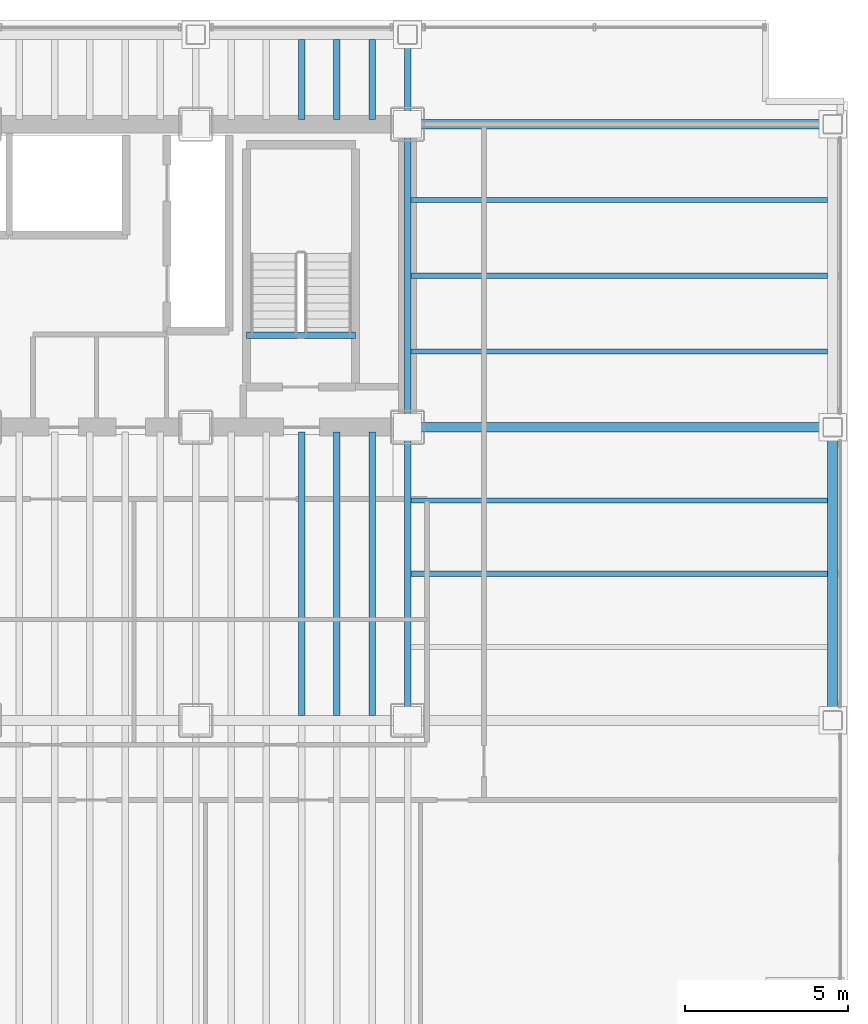
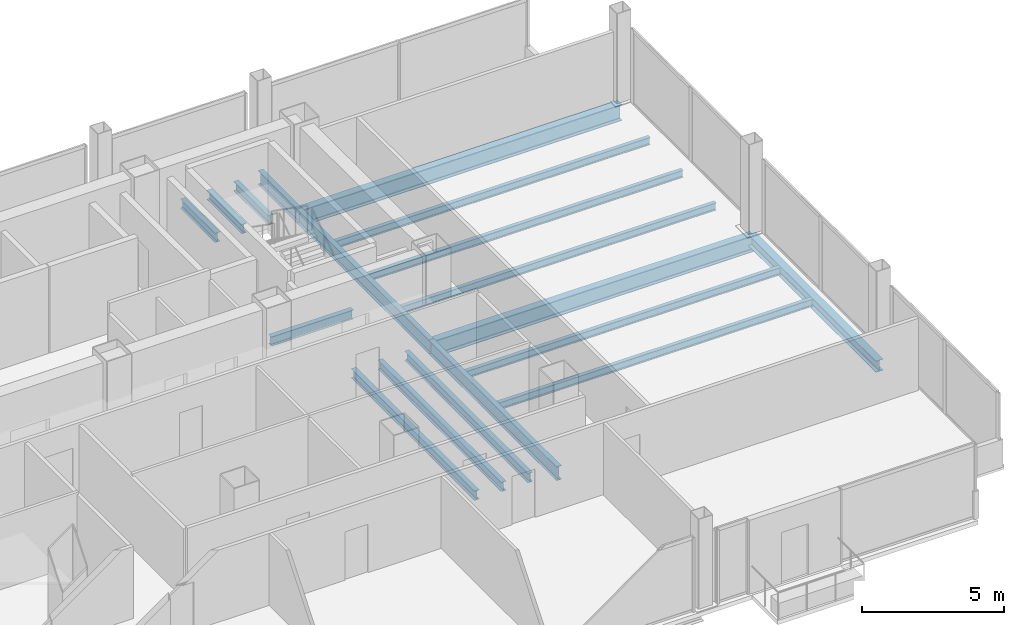
# One storey, part 12 of 22: 18 beams.
"""IFC4 building model written with IfcOpenShell, lengths in metres."""

from ifc_helpers import new_model, si_unit, direction, frame, origin, origin_2d, place, context, subcontext, project, spatial, i_section, extrude, material, material_profile, profile_set, type_object, element, save


model = new_model("IFC4")

# Units and contexts
model_context = context("Model", 3, precision=1e-05, world=origin(), true_north=direction((0.0, 1.0)))
body_context = subcontext(model_context, "Body", "Model", "MODEL_VIEW")
ifc_project = project(units=[si_unit("LENGTHUNIT", "METRE"), si_unit("AREAUNIT", "SQUARE_METRE"), si_unit("VOLUMEUNIT", "CUBIC_METRE"), si_unit("PLANEANGLEUNIT", "RADIAN"), si_unit("MASSUNIT", "GRAM", prefix="KILO")], contexts=[model_context])

# Site, building, storey
site_placement = place(None, origin())
site = spatial("IfcSite", under=ifc_project, at=site_placement, CompositionType="ELEMENT")
building_placement = place(site_placement, origin())
building = spatial("IfcBuilding", under=site, at=building_placement, Name="Noeulbin Bourse Tower", CompositionType="ELEMENT")
storey_placement = place(building_placement, frame((0.0, 0.0, 85.0)))
storey = spatial("IfcBuildingStorey", under=building, at=storey_placement, Name="L21", CompositionType="ELEMENT", Elevation=85.0)

# Beams
ifc_material = material(Name="Steel S355", Category="steel")
ifc_material_profile_1 = material_profile(ifc_material, i_section(OverallWidth=0.199951171875, OverallDepth=0.60009765625, WebThickness=0.010986328125, FlangeThickness=0.01708984375, FilletRadius=0.02197265625, at=origin_2d()), Name="H-600x200x11x17", Category="LoadBearing")
ifc_profile_set_1 = profile_set([ifc_material_profile_1], Name="Steel S355")
beam_type_1 = type_object("IfcBeamType", Name="BM-GRD-600", PredefinedType="USERDEFINED", material=ifc_profile_set_1)
beam_1_placement = place(storey_placement, frame((44.0, 20.0, -0.47998046875), z_axis=(0.0, 1.0, 0.0), x_axis=(-1.0, 0.0, 0.0)))
element("IfcBeam", 1, at=beam_1_placement, inside=storey, type_object=beam_type_1, Name="Tower Primary Girder NS L21-5.2", ObjectType="GIRDER", PredefinedType="USERDEFINED", context=body_context, shape_type="SweptSolid", body=[
    extrude(i_section(OverallWidth=0.199951171875, OverallDepth=0.60009765625, WebThickness=0.010986328125, FlangeThickness=0.01708984375, FilletRadius=0.02197265625, at=origin_2d()), origin(), (0.0, 0.0, 1.0), 9.0),
])
beam_2_placement = place(storey_placement, frame((44.0, 29.0, -0.47998046875), z_axis=(0.0, 1.0, 0.0), x_axis=(-1.0, 0.0, 0.0)))
element("IfcBeam", 2, at=beam_2_placement, inside=storey, type_object=beam_type_1, Name="Tower Primary Girder NS L21-5.3", ObjectType="GIRDER", PredefinedType="USERDEFINED", context=body_context, shape_type="SweptSolid", body=[
    extrude(i_section(OverallWidth=0.199951171875, OverallDepth=0.60009765625, WebThickness=0.010986328125, FlangeThickness=0.01708984375, FilletRadius=0.02197265625, at=origin_2d()), origin(), (0.0, 0.0, 1.0), 9.300048828125),
])
beam_3_placement = place(storey_placement, frame((44.0, 38.300048828125, -0.47998046875), z_axis=(0.0, 1.0, 0.0), x_axis=(-1.0, 0.0, 0.0)))
element("IfcBeam", 3, at=beam_3_placement, inside=storey, type_object=beam_type_1, Name="Tower Primary Girder NS L21-5.4", ObjectType="GIRDER", PredefinedType="USERDEFINED", context=body_context, shape_type="SweptSolid", body=[
    extrude(i_section(OverallWidth=0.199951171875, OverallDepth=0.60009765625, WebThickness=0.010986328125, FlangeThickness=0.01708984375, FilletRadius=0.02197265625, at=origin_2d()), origin(), (0.0, 0.0, 1.0), 2.75),
])
ifc_material_profile_2 = material_profile(ifc_material, i_section(OverallWidth=0.300048828125, OverallDepth=0.699951171875, WebThickness=0.012939453125, FlangeThickness=0.02392578125, FilletRadius=0.02392578125, at=origin_2d()), Name="H-700x300x13x24", Category="LoadBearing")
ifc_profile_set_2 = profile_set([ifc_material_profile_2], Name="Steel S355")
beam_type_2 = type_object("IfcBeamType", Name="BM-GRD-700", PredefinedType="USERDEFINED", material=ifc_profile_set_2)
for number, where, z_axis, x_axis, name in (
    (4, (44.0, 29.0, -0.530029296875), (1.0, 0.0, 0.0), (0.0, 1.0, 0.0), "Tower Primary Girder EW L21-2.6"),
    (5, (44.0, 38.300048828125, -0.530029296875), (1.0, 0.0, 0.0), (0.0, 1.0, 0.0), "Tower Primary Girder EW L21-3.6"),
):
    element("IfcBeam", number, at=place(storey_placement, frame(where, z_axis=z_axis, x_axis=x_axis)), inside=storey, type_object=beam_type_2, Name=name, ObjectType="GIRDER", PredefinedType="USERDEFINED", context=body_context, shape_type="SweptSolid", body=[
        extrude(i_section(OverallWidth=0.300048828125, OverallDepth=0.699951171875, WebThickness=0.012939453125, FlangeThickness=0.02392578125, FilletRadius=0.02392578125, at=origin_2d()), origin(), (0.0, 0.0, 1.0), 13.050048828125),
    ])
ifc_material_profile_3 = material_profile(ifc_material, i_section(OverallWidth=0.159912109375, OverallDepth=0.320068359375, WebThickness=0.006591796875, FlangeThickness=0.010009765625, FilletRadius=0.012939453125, at=origin_2d()), Name="H-320x160x6.5x10", Category="LoadBearing")
ifc_profile_set_3 = profile_set([ifc_material_profile_3], Name="Steel S355")
beam_type_3 = type_object("IfcBeamType", Name="BM-JST-320", PredefinedType="JOIST", material=ifc_profile_set_3)
for number, where, z_axis, x_axis, name in (
    (6, (44.10009765625, 24.5, -0.340087890625), (1.0, 0.0, 0.0), (0.0, 1.0, 0.0), "Wing Composite Joist L21-E77"),
    (7, (44.10009765625, 26.75, -0.340087890625), (1.0, 0.0, 0.0), (0.0, 1.0, 0.0), "Wing Composite Joist L21-E78"),
    (8, (44.10009765625, 31.324951171875, -0.340087890625), (1.0, 0.0, 0.0), (0.0, 1.0, 0.0), "Wing Composite Joist L21-E79"),
    (9, (44.10009765625, 33.64990234375, -0.340087890625), (1.0, 0.0, 0.0), (0.0, 1.0, 0.0), "Wing Composite Joist L21-E80"),
    (10, (44.10009765625, 35.97509765625, -0.340087890625), (1.0, 0.0, 0.0), (0.0, 1.0, 0.0), "Wing Composite Joist L21-E81"),
):
    element("IfcBeam", number, at=place(storey_placement, frame(where, z_axis=z_axis, x_axis=x_axis)), inside=storey, type_object=beam_type_3, Name=name, PredefinedType="JOIST", context=body_context, shape_type="SweptSolid", body=[
        extrude(i_section(OverallWidth=0.159912109375, OverallDepth=0.320068359375, WebThickness=0.006591796875, FlangeThickness=0.010009765625, FilletRadius=0.012939453125, at=origin_2d()), origin(), (0.0, 0.0, 1.0), 12.7998046875),
    ])
ifc_material_profile_4 = material_profile(ifc_material, i_section(OverallWidth=0.199951171875, OverallDepth=0.39990234375, WebThickness=0.008056640625, FlangeThickness=0.012939453125, FilletRadius=0.01611328125, at=origin_2d()), Name="H-400x200x8x13", Category="LoadBearing")
ifc_profile_set_4 = profile_set([ifc_material_profile_4], Name="Steel S355")
beam_type_4 = type_object("IfcBeamType", Name="BM-SEC-400", PredefinedType="BEAM", material=ifc_profile_set_4)
beam_4_placement = place(storey_placement, frame((40.75, 20.14990234375, -0.3798828125), z_axis=(0.0, 1.0, 0.0), x_axis=(-1.0, 0.0, 0.0)))
element("IfcBeam", 11, at=beam_4_placement, inside=storey, type_object=beam_type_4, Name="Tower Composite Joist L21-62", PredefinedType="BEAM", context=body_context, shape_type="SweptSolid", body=[
    extrude(i_section(OverallWidth=0.199951171875, OverallDepth=0.39990234375, WebThickness=0.008056640625, FlangeThickness=0.012939453125, FilletRadius=0.01611328125, at=origin_2d()), origin(), (0.0, 0.0, 1.0), 8.7001953125),
])
beam_5_placement = place(storey_placement, frame((40.75, 38.449951171875, -0.3798828125), z_axis=(0.0, 1.0, 0.0), x_axis=(-1.0, 0.0, 0.0)))
element("IfcBeam", 12, at=beam_5_placement, inside=storey, type_object=beam_type_4, Name="Tower Composite Joist L21-63", PredefinedType="BEAM", context=body_context, shape_type="SweptSolid", body=[
    extrude(i_section(OverallWidth=0.199951171875, OverallDepth=0.39990234375, WebThickness=0.008056640625, FlangeThickness=0.012939453125, FilletRadius=0.01611328125, at=origin_2d()), origin(), (0.0, 0.0, 1.0), 2.449951171875),
])
beam_6_placement = place(storey_placement, frame((41.833251953125, 20.14990234375, -0.3798828125), z_axis=(0.0, 1.0, 0.0), x_axis=(-1.0, 0.0, 0.0)))
element("IfcBeam", 13, at=beam_6_placement, inside=storey, type_object=beam_type_4, Name="Tower Composite Joist L21-65", PredefinedType="BEAM", context=body_context, shape_type="SweptSolid", body=[
    extrude(i_section(OverallWidth=0.199951171875, OverallDepth=0.39990234375, WebThickness=0.008056640625, FlangeThickness=0.012939453125, FilletRadius=0.01611328125, at=origin_2d()), origin(), (0.0, 0.0, 1.0), 8.7001953125),
])
beam_7_placement = place(storey_placement, frame((41.833251953125, 38.449951171875, -0.3798828125), z_axis=(0.0, 1.0, 0.0), x_axis=(-1.0, 0.0, 0.0)))
element("IfcBeam", 14, at=beam_7_placement, inside=storey, type_object=beam_type_4, Name="Tower Composite Joist L21-66", PredefinedType="BEAM", context=body_context, shape_type="SweptSolid", body=[
    extrude(i_section(OverallWidth=0.199951171875, OverallDepth=0.39990234375, WebThickness=0.008056640625, FlangeThickness=0.012939453125, FilletRadius=0.01611328125, at=origin_2d()), origin(), (0.0, 0.0, 1.0), 2.449951171875),
])
beam_8_placement = place(storey_placement, frame((42.916748046875, 20.14990234375, -0.3798828125), z_axis=(0.0, 1.0, 0.0), x_axis=(-1.0, 0.0, 0.0)))
element("IfcBeam", 15, at=beam_8_placement, inside=storey, type_object=beam_type_4, Name="Tower Composite Joist L21-68", PredefinedType="BEAM", context=body_context, shape_type="SweptSolid", body=[
    extrude(i_section(OverallWidth=0.199951171875, OverallDepth=0.39990234375, WebThickness=0.008056640625, FlangeThickness=0.012939453125, FilletRadius=0.01611328125, at=origin_2d()), origin(), (0.0, 0.0, 1.0), 8.7001953125),
])
beam_9_placement = place(storey_placement, frame((42.916748046875, 38.449951171875, -0.3798828125), z_axis=(0.0, 1.0, 0.0), x_axis=(-1.0, 0.0, 0.0)))
element("IfcBeam", 16, at=beam_9_placement, inside=storey, type_object=beam_type_4, Name="Tower Composite Joist L21-69", PredefinedType="BEAM", context=body_context, shape_type="SweptSolid", body=[
    extrude(i_section(OverallWidth=0.199951171875, OverallDepth=0.39990234375, WebThickness=0.008056640625, FlangeThickness=0.012939453125, FilletRadius=0.01611328125, at=origin_2d()), origin(), (0.0, 0.0, 1.0), 2.449951171875),
])
beam_10_placement = place(storey_placement, frame((39.06005859375, 31.820068359375, -0.199951171875), z_axis=(1.0, 0.0, 0.0), x_axis=(0.0, 1.0, 0.0)))
element("IfcBeam", 17, at=beam_10_placement, inside=storey, type_object=beam_type_4, Name="Stair Threshold Trimmer Beam ST2-L21", PredefinedType="BEAM", context=body_context, shape_type="SweptSolid", body=[
    extrude(i_section(OverallWidth=0.199951171875, OverallDepth=0.39990234375, WebThickness=0.008056640625, FlangeThickness=0.012939453125, FilletRadius=0.01611328125, at=origin_2d()), origin(), (0.0, 0.0, 1.0), 3.33984375),
])
ifc_material_profile_5 = material_profile(ifc_material, i_section(OverallWidth=0.300048828125, OverallDepth=0.488037109375, WebThickness=0.010986328125, FlangeThickness=0.01806640625, FilletRadius=0.02197265625, at=origin_2d()), Name="H-488x300x11x18", Category="LoadBearing")
ifc_profile_set_5 = profile_set([ifc_material_profile_5], Name="Steel S355")
beam_type_5 = type_object("IfcBeamType", Name="BM-SPN-488", PredefinedType="SPANDREL", material=ifc_profile_set_5)
beam_11_placement = place(storey_placement, frame((57.050048828125, 20.0, -0.424072265625), z_axis=(0.0, 1.0, 0.0), x_axis=(-1.0, 0.0, 0.0)))
element("IfcBeam", 18, at=beam_11_placement, inside=storey, type_object=beam_type_5, Name="East Spandrel L21-1", PredefinedType="SPANDREL", context=body_context, shape_type="SweptSolid", body=[
    extrude(i_section(OverallWidth=0.300048828125, OverallDepth=0.488037109375, WebThickness=0.010986328125, FlangeThickness=0.01806640625, FilletRadius=0.02197265625, at=origin_2d()), origin(), (0.0, 0.0, 1.0), 9.0),
])

save(model, "model.ifc")
